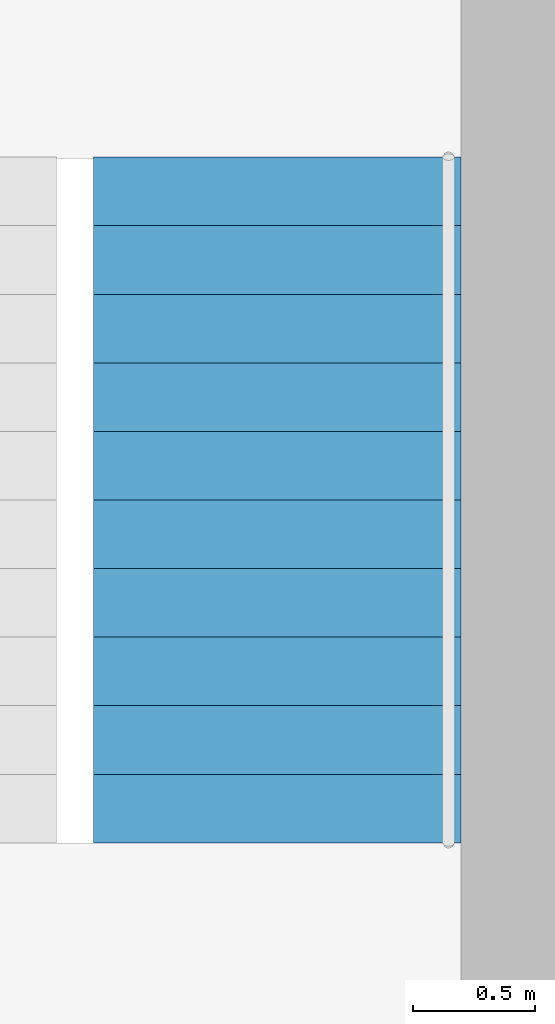
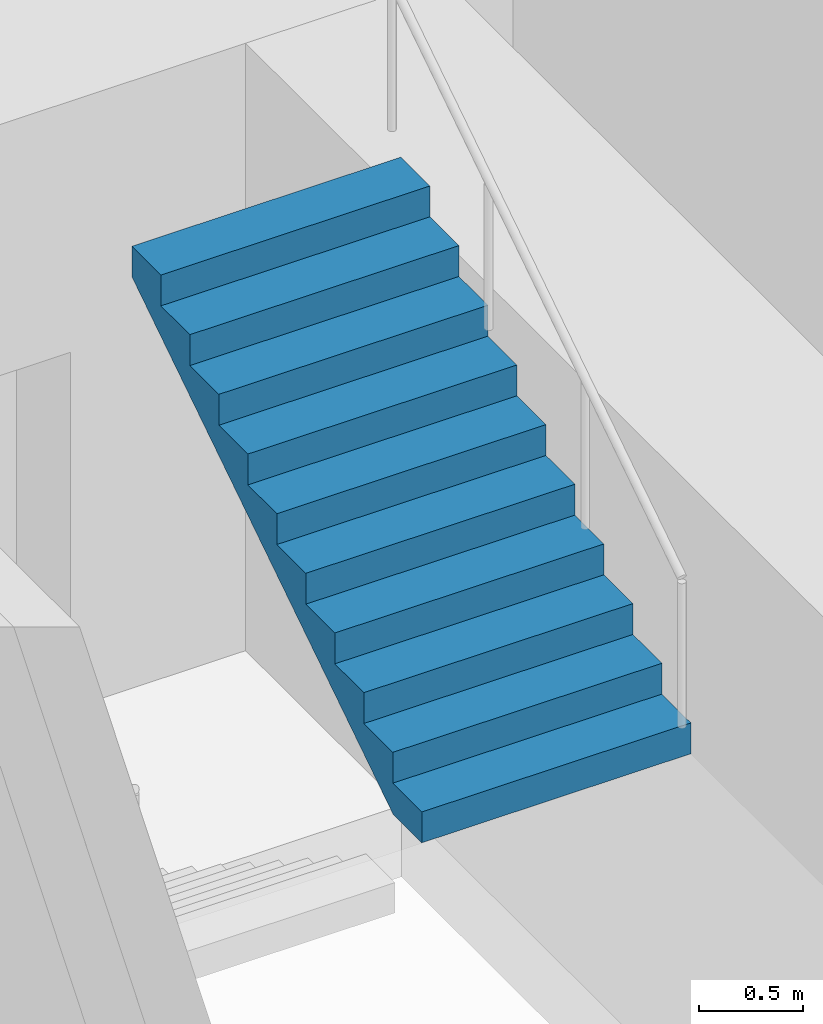
# One storey, part 9 of 11: 1 stair flight, 1 element without a shape of its own.
"""IFC4 building model written with IfcOpenShell, lengths in metres."""

from ifc_helpers import new_model, si_unit, direction, frame, origin, place, context, subcontext, project, spatial, polyline, outline, extrude, material, type_object, element, aggregate, save


model = new_model("IFC4")

# Units and contexts
model_context = context("Model", 3, precision=1e-05, world=origin(), true_north=direction((0.0, 1.0)))
body_context = subcontext(model_context, "Body", "Model", "MODEL_VIEW")
ifc_project = project(units=[si_unit("LENGTHUNIT", "METRE"), si_unit("AREAUNIT", "SQUARE_METRE"), si_unit("VOLUMEUNIT", "CUBIC_METRE"), si_unit("PLANEANGLEUNIT", "RADIAN"), si_unit("MASSUNIT", "GRAM", prefix="KILO")], contexts=[model_context])

# Site, building, storey
site_placement = place(None, origin())
site = spatial("IfcSite", under=ifc_project, at=site_placement, CompositionType="ELEMENT")
building_placement = place(site_placement, origin())
building = spatial("IfcBuilding", under=site, at=building_placement, Name="Dilmun Exchange Tower", CompositionType="ELEMENT")
storey_placement = place(building_placement, frame((0.0, 0.0, 82.10009765625)))
storey = spatial("IfcBuildingStorey", under=building, at=storey_placement, Name="L18", CompositionType="ELEMENT", Elevation=82.10009765625)

# Stair, stair flight
ifc_material = material(Name="Concrete C40/50", Category="concrete")
stair_type = type_object("IfcStairType", Name="Exit stair 1500 half-turn", PredefinedType="HALF_TURN_STAIR", material=ifc_material)
stair_placement = place(storey_placement, origin())
stair = element("IfcStair", 1, at=stair_placement, inside=storey, type_object=stair_type, Name="L18 Protected exit stair ST1", PredefinedType="HALF_TURN_STAIR")
stair_flight_type = type_object("IfcStairFlightType", Name="Exit stair flight 1500", PredefinedType="STRAIGHT", material=ifc_material)
stair_flight_placement = place(storey_placement, frame((11.050048828125, 7.5, 2.0), z_axis=(0.0, 0.0, 1.0), x_axis=(0.0, 1.0, 0.0)))
stair_flight = element("IfcStairFlight", 2, at=stair_flight_placement, type_object=stair_flight_type, Name="ST1 flight 2", NumberOfRisers=11, NumberOfTreads=10, PredefinedType="STRAIGHT", RiserHeight=0.181818182, TreadLength=0.28, context=body_context, shape_type="SweptSolid", body=[
    extrude(outline(polyline([(0.0, 0.0), (0.0, 0.181884765625), (0.280029296875, 0.181884765625), (0.280029296875, 0.363525390625), (0.56005859375, 0.363525390625), (0.56005859375, 0.54541015625), (0.840087890625, 0.54541015625), (0.840087890625, 0.727294921875), (1.1201171875, 0.727294921875), (1.1201171875, 0.9091796875), (1.39990234375, 0.9091796875), (1.39990234375, 1.0908203125), (1.679931640625, 1.0908203125), (1.679931640625, 1.272705078125), (1.9599609375, 1.272705078125), (1.9599609375, 1.45458984375), (2.239990234375, 1.45458984375), (2.239990234375, 1.636474609375), (2.52001953125, 1.636474609375), (2.52001953125, 1.818115234375), (2.800048828125, 1.818115234375), (2.800048828125, 2.0), (2.800048828125, 1.639404296875), (0.275146484375, 0.0), (0.0, 0.0)])), frame((0.0, 0.75, 0.0), z_axis=(0.0, -1.0, 0.0), x_axis=(1.0, 0.0, 0.0)), (0.0, 0.0, 1.0), 1.5),
])
aggregate(stair, [stair_flight])

save(model, "model.ifc")
